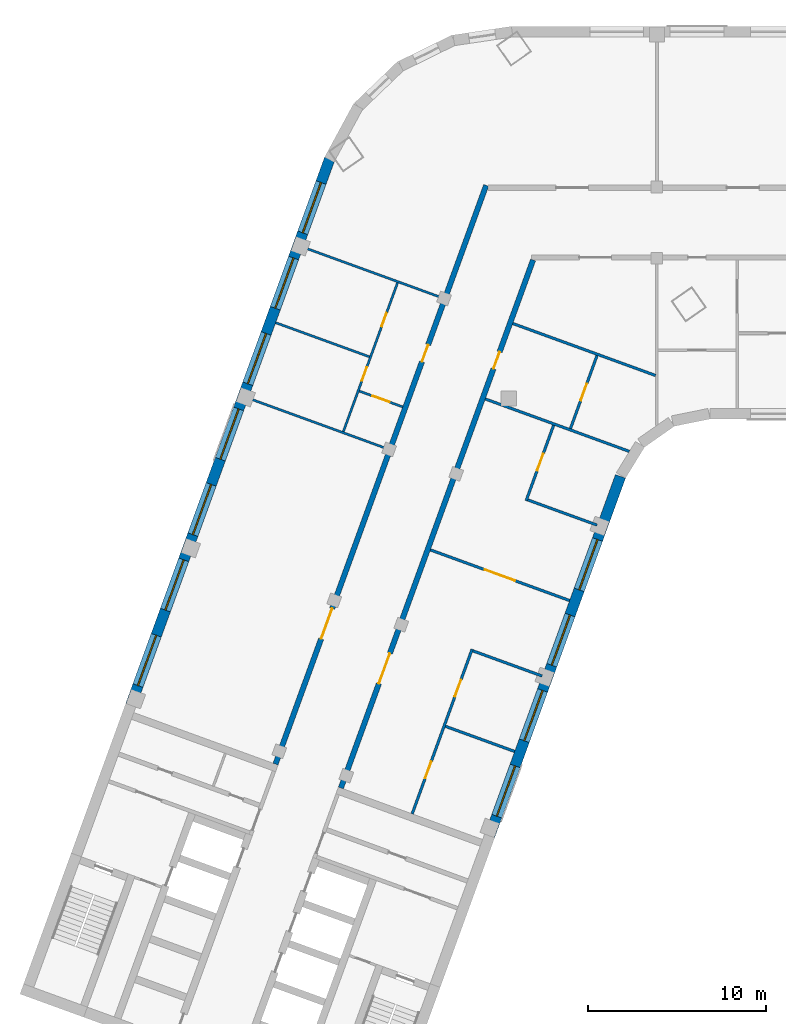
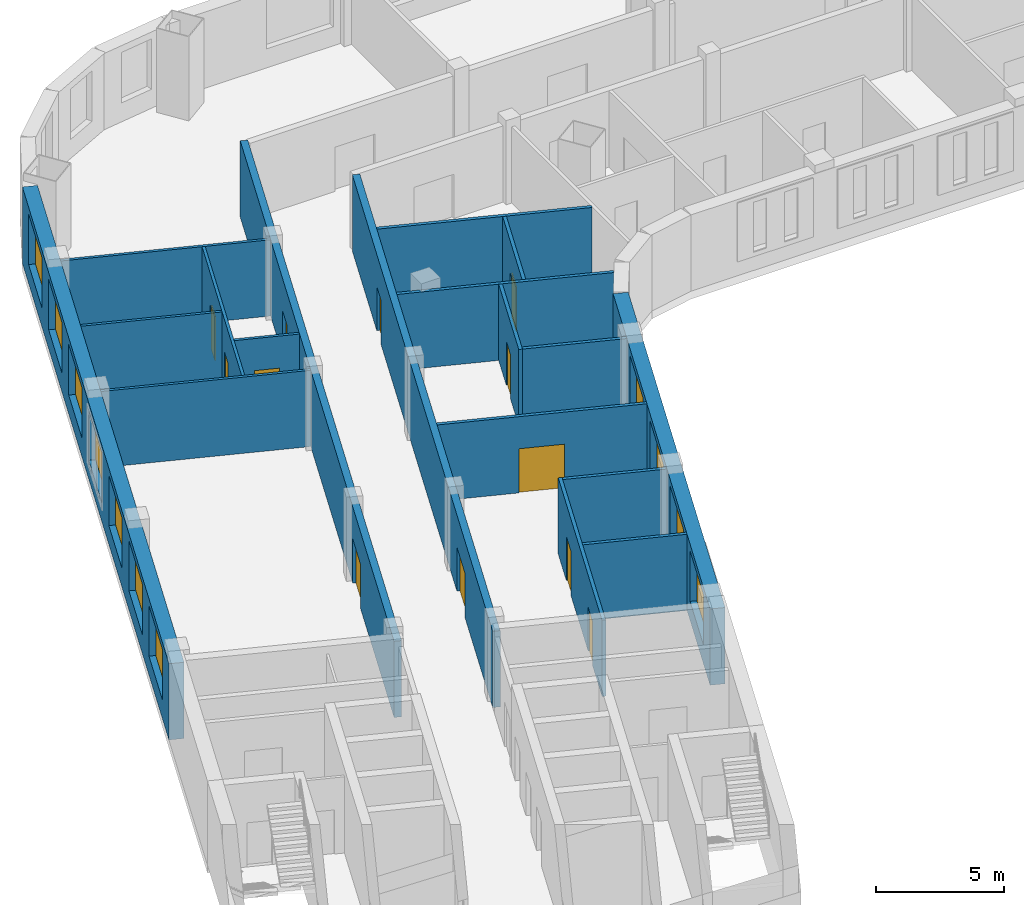
# One storey, part 3 of 12: 18 walls, 12 doors, 11 windows, 23 openings.
"""IFC4 building model written with IfcOpenShell, lengths in metres."""

from ifc_helpers import new_model, si_unit, direction, frame, frame_2d, origin, place, context, subcontext, project, spatial, rectangle, extrude, material, layer, layer_set, type_object, element, fill, save


model = new_model("IFC4")

# Units and contexts
model_context = context("Model", 3, precision=1e-05, world=origin(), true_north=direction((0.0, 1.0)))
body_context = subcontext(model_context, "Body", "Model", "MODEL_VIEW")
ifc_project = project(units=[si_unit("LENGTHUNIT", "METRE"), si_unit("AREAUNIT", "SQUARE_METRE"), si_unit("VOLUMEUNIT", "CUBIC_METRE"), si_unit("PLANEANGLEUNIT", "RADIAN"), si_unit("MASSUNIT", "GRAM", prefix="KILO")], contexts=[model_context])

# Site, building, storey
site_placement = place(None, origin())
site = spatial("IfcSite", under=ifc_project, at=site_placement, CompositionType="ELEMENT")
building_placement = place(site_placement, origin())
building = spatial("IfcBuilding", under=site, at=building_placement, Name="Skarvind Civic Tower", CompositionType="ELEMENT")
storey_placement = place(building_placement, frame((0.0, 0.0, 85.0)))
storey = spatial("IfcBuildingStorey", under=building, at=storey_placement, Name="L19", CompositionType="ELEMENT", Elevation=85.0)

# Wall, openings, doors
ifc_material_1 = material(Name="Fire-rated gypsum board on steel studs", Category="steel")
ifc_layer_1 = layer(ifc_material_1, 0.300048828125)
ifc_layer_set_1 = layer_set([ifc_layer_1], Name="CORRIDOR WALL 300")
wall_type_1 = type_object("IfcWallType", Name="CORRIDOR WALL 300", PredefinedType="PARTITIONING", material=ifc_layer_set_1)
wall_1_placement = place(storey_placement, frame((32.881103515625, 97.656982421875, 0.0), z_axis=(0.0, 0.0, 1.0), x_axis=(0.342017360004, 0.939693633828, 0.0)))
wall_1 = element("IfcWall", 1, at=wall_1_placement, inside=storey, type_object=wall_type_1, Name="Partition 19.002", PredefinedType="PARTITIONING", context=body_context, shape_type="SweptSolid", body=[
    extrude(rectangle(XDim=34.515625, YDim=0.300048828125, at=frame_2d((17.2578125, 0.0))), origin(), (0.0, 0.0, 1.0), 3.625),
])
opening_1_placement = place(wall_1_placement, frame((7.474853515625, 0.0, 0.0)))
opening_1 = element("IfcOpeningElement", 2, at=opening_1_placement, cuts=wall_1, Name="Opening L19-D016", PredefinedType="OPENING", context=body_context, shape_type="SweptSolid", body=[
    extrude(rectangle(XDim=1.800048828125, YDim=2.10009765625, at=frame_2d((0.89990234375, 1.050048828125))), frame((0.0, 0.159912109375, 0.0), z_axis=(0.0, -1.0, 0.0), x_axis=(1.0, 0.0, 0.0)), (0.0, 0.0, 1.0), 0.320068359375),
])
opening_2_placement = place(wall_1_placement, frame((24.00048828125, 0.0, 0.0)))
opening_2 = element("IfcOpeningElement", 3, at=opening_2_placement, cuts=wall_1, Name="Opening L19-D017", PredefinedType="OPENING", context=body_context, shape_type="SweptSolid", body=[
    extrude(rectangle(XDim=1.0, YDim=2.10009765625, at=frame_2d((0.5, 1.050048828125))), frame((0.0, 0.159912109375, 0.0), z_axis=(0.0, -1.0, 0.0), x_axis=(1.0, 0.0, 0.0)), (0.0, 0.0, 1.0), 0.320068359375),
])
ifc_material_2 = material(Name="Fire-rated timber door leaf", Category="wood")
door_type_1 = type_object("IfcDoorType", Name="FD1 1000x2100", OperationType="NOTDEFINED", PredefinedType="DOOR", material=ifc_material_2)
door_1_placement = place(opening_2_placement, origin())
door_1 = element("IfcDoor", 4, at=door_1_placement, inside=storey, type_object=door_type_1, Name="Door L19-D017", OperationType="SINGLE_SWING_LEFT", OverallHeight=2.10009765625, OverallWidth=1.0, PredefinedType="DOOR", context=body_context, shape_type="SweptSolid", body=[
    extrude(rectangle(XDim=1.0, YDim=2.10009765625, at=frame_2d((0.5, 1.050048828125))), frame((0.0, 0.02490234375, 0.0), z_axis=(0.0, -1.0, 0.0), x_axis=(1.0, 0.0, 0.0)), (0.0, 0.0, 1.0), 0.050048828125),
])
fill(opening_2, door_1)
door_type_2 = type_object("IfcDoorType", Name="FD4 1800x2100", OperationType="NOTDEFINED", PredefinedType="DOOR", material=ifc_material_2)
door_2_placement = place(opening_1_placement, origin())
door_2 = element("IfcDoor", 5, at=door_2_placement, inside=storey, type_object=door_type_2, Name="Door L19-D016", OperationType="DOUBLE_DOOR_SINGLE_SWING", OverallHeight=2.10009765625, OverallWidth=1.800048828125, PredefinedType="DOOR", context=body_context, shape_type="SweptSolid", body=[
    extrude(rectangle(XDim=1.800048828125, YDim=2.10009765625, at=frame_2d((0.89990234375, 1.050048828125))), frame((0.0, 0.02490234375, 0.0), z_axis=(0.0, -1.0, 0.0), x_axis=(1.0, 0.0, 0.0)), (0.0, 0.0, 1.0), 0.050048828125),
])
fill(opening_1, door_2)

wall_2_placement = place(storey_placement, frame((47.31396484375, 125.908935546875, 0.0), z_axis=(0.0, 0.0, 1.0), x_axis=(-0.342010770371, -0.939696032209, 0.0)))
wall_2 = element("IfcWall", 6, at=wall_2_placement, inside=storey, type_object=wall_type_1, Name="Partition 19.016", PredefinedType="PARTITIONING", context=body_context, shape_type="SweptSolid", body=[
    extrude(rectangle(XDim=31.484619140625, YDim=0.300048828125, at=frame_2d((15.7421875, 0.0))), origin(), (0.0, 0.0, 1.0), 3.625),
])
opening_3_placement = place(wall_2_placement, frame((23.459228515625, 0.0, 0.0)))
opening_3 = element("IfcOpeningElement", 7, at=opening_3_placement, cuts=wall_2, Name="Opening L19-D023", PredefinedType="OPENING", context=body_context, shape_type="SweptSolid", body=[
    extrude(rectangle(XDim=1.800048828125, YDim=2.10009765625, at=frame_2d((0.89990234375, 1.050048828125))), frame((0.0, 0.159912109375, 0.0), z_axis=(0.0, -1.0, 0.0), x_axis=(1.0, 0.0, 0.0)), (0.0, 0.0, 1.0), 0.320068359375),
])
opening_4_placement = place(wall_2_placement, frame((5.484130859375, 0.0, 0.0)))
opening_4 = element("IfcOpeningElement", 8, at=opening_4_placement, cuts=wall_2, Name="Opening L19-D024", PredefinedType="OPENING", context=body_context, shape_type="SweptSolid", body=[
    extrude(rectangle(XDim=1.0, YDim=2.10009765625, at=frame_2d((0.5, 1.050048828125))), frame((0.0, 0.159912109375, 0.0), z_axis=(0.0, -1.0, 0.0), x_axis=(1.0, 0.0, 0.0)), (0.0, 0.0, 1.0), 0.320068359375),
])
door_3_placement = place(opening_4_placement, origin())
door_3 = element("IfcDoor", 9, at=door_3_placement, inside=storey, type_object=door_type_1, Name="Door L19-D024", OperationType="SINGLE_SWING_LEFT", OverallHeight=2.10009765625, OverallWidth=1.0, PredefinedType="DOOR", context=body_context, shape_type="SweptSolid", body=[
    extrude(rectangle(XDim=1.0, YDim=2.10009765625, at=frame_2d((0.5, 1.050048828125))), frame((0.0, 0.02490234375, 0.0), z_axis=(0.0, -1.0, 0.0), x_axis=(1.0, 0.0, 0.0)), (0.0, 0.0, 1.0), 0.050048828125),
])
fill(opening_4, door_3)
door_4_placement = place(opening_3_placement, origin())
door_4 = element("IfcDoor", 10, at=door_4_placement, inside=storey, type_object=door_type_2, Name="Door L19-D023", OperationType="DOUBLE_DOOR_SINGLE_SWING", OverallHeight=2.10009765625, OverallWidth=1.800048828125, PredefinedType="DOOR", context=body_context, shape_type="SweptSolid", body=[
    extrude(rectangle(XDim=1.800048828125, YDim=2.10009765625, at=frame_2d((0.89990234375, 1.050048828125))), frame((0.0, 0.02490234375, 0.0), z_axis=(0.0, -1.0, 0.0), x_axis=(1.0, 0.0, 0.0)), (0.0, 0.0, 1.0), 0.050048828125),
])
fill(opening_3, door_4)

ifc_material_3 = material(Name="Plasterboard partition on steel studs", Category="steel")
ifc_layer_2 = layer(ifc_material_3, 0.14990234375)
ifc_layer_set_2 = layer_set([ifc_layer_2], Name="PARTITION 150")
wall_type_2 = type_object("IfcWallType", Name="PARTITION 150", PredefinedType="PARTITIONING", material=ifc_layer_set_2)
wall_3_placement = place(storey_placement, frame((40.5390625, 94.8701171875, 0.0), z_axis=(0.0, 0.0, 1.0), x_axis=(0.342082231415, 0.939670020247, 0.0)))
wall_3 = element("IfcWall", 11, at=wall_3_placement, inside=storey, type_object=wall_type_2, Name="Partition 19.009", PredefinedType="PARTITIONING", context=body_context, shape_type="SweptSolid", body=[
    extrude(rectangle(XDim=9.82470703125, YDim=0.14990234375, at=frame_2d((4.912353515625, 0.0))), origin(), (0.0, 0.0, 1.0), 3.625),
])
opening_5_placement = place(wall_3_placement, frame((2.125, 0.0, 0.0)))
opening_5 = element("IfcOpeningElement", 12, at=opening_5_placement, cuts=wall_3, Name="Opening L19-D021", PredefinedType="OPENING", context=body_context, shape_type="SweptSolid", body=[
    extrude(rectangle(XDim=1.0, YDim=2.10009765625, at=frame_2d((0.5, 1.050048828125))), frame((0.0, 0.0849609375, 0.0), z_axis=(0.0, -1.0, 0.0), x_axis=(1.0, 0.0, 0.0)), (0.0, 0.0, 1.0), 0.169921875),
])
opening_6_placement = place(wall_3_placement, frame((7.0, 0.0, 0.0)))
opening_6 = element("IfcOpeningElement", 13, at=opening_6_placement, cuts=wall_3, Name="Opening L19-D022", PredefinedType="OPENING", context=body_context, shape_type="SweptSolid", body=[
    extrude(rectangle(XDim=1.0, YDim=2.10009765625, at=frame_2d((0.5, 1.050048828125))), frame((0.0, 0.0849609375, 0.0), z_axis=(0.0, -1.0, 0.0), x_axis=(1.0, 0.0, 0.0)), (0.0, 0.0, 1.0), 0.169921875),
])
ifc_material_4 = material(Name="Timber door leaf", Category="wood")
door_type_3 = type_object("IfcDoorType", Name="D1 1000x2100", OperationType="NOTDEFINED", PredefinedType="DOOR", material=ifc_material_4)
door_5_placement = place(opening_5_placement, origin())
door_5 = element("IfcDoor", 14, at=door_5_placement, inside=storey, type_object=door_type_3, Name="Door L19-D021", OperationType="SINGLE_SWING_LEFT", OverallHeight=2.10009765625, OverallWidth=1.0, PredefinedType="DOOR", context=body_context, shape_type="SweptSolid", body=[
    extrude(rectangle(XDim=1.0, YDim=2.10009765625, at=frame_2d((0.5, 1.050048828125))), frame((0.0, 0.02490234375, 0.0), z_axis=(0.0, -1.0, 0.0), x_axis=(1.0, 0.0, 0.0)), (0.0, 0.0, 1.0), 0.050048828125),
])
fill(opening_5, door_5)
door_6_placement = place(opening_6_placement, origin())
door_6 = element("IfcDoor", 15, at=door_6_placement, inside=storey, type_object=door_type_3, Name="Door L19-D022", OperationType="SINGLE_SWING_LEFT", OverallHeight=2.10009765625, OverallWidth=1.0, PredefinedType="DOOR", context=body_context, shape_type="SweptSolid", body=[
    extrude(rectangle(XDim=1.0, YDim=2.10009765625, at=frame_2d((0.5, 1.050048828125))), frame((0.0, 0.02490234375, 0.0), z_axis=(0.0, -1.0, 0.0), x_axis=(1.0, 0.0, 0.0)), (0.0, 0.0, 1.0), 0.050048828125),
])
fill(opening_6, door_6)

# Wall, opening, door
wall_4_placement = place(storey_placement, frame((41.56103515625, 109.6630859375, 0.0), z_axis=(0.0, 0.0, 1.0), x_axis=(0.939673986983, -0.342071334939, 0.0)))
wall_4 = element("IfcWall", 16, at=wall_4_placement, inside=storey, type_object=wall_type_2, Name="Partition 19.010", PredefinedType="PARTITIONING", context=body_context, shape_type="SweptSolid", body=[
    extrude(rectangle(XDim=8.2998046875, YDim=0.14990234375, at=frame_2d((4.14990234375, 0.0))), origin(), (0.0, 0.0, 1.0), 3.625),
])
opening_7_placement = place(wall_4_placement, frame((3.23974609375, 0.0, 0.0)))
opening_7 = element("IfcOpeningElement", 17, at=opening_7_placement, cuts=wall_4, Name="Opening L19-D029", PredefinedType="OPENING", context=body_context, shape_type="SweptSolid", body=[
    extrude(rectangle(XDim=1.800048828125, YDim=2.10009765625, at=frame_2d((0.89990234375, 1.050048828125))), frame((0.0, 0.0849609375, 0.0), z_axis=(0.0, -1.0, 0.0), x_axis=(1.0, 0.0, 0.0)), (0.0, 0.0, 1.0), 0.169921875),
])
door_type_4 = type_object("IfcDoorType", Name="D4 1800x2100", OperationType="NOTDEFINED", PredefinedType="DOOR", material=ifc_material_4)
door_7_placement = place(opening_7_placement, origin())
door_7 = element("IfcDoor", 18, at=door_7_placement, inside=storey, type_object=door_type_4, Name="Door L19-D029", OperationType="DOUBLE_DOOR_SINGLE_SWING", OverallHeight=2.10009765625, OverallWidth=1.800048828125, PredefinedType="DOOR", context=body_context, shape_type="SweptSolid", body=[
    extrude(rectangle(XDim=1.800048828125, YDim=2.10009765625, at=frame_2d((0.89990234375, 1.050048828125))), frame((0.0, 0.02490234375, 0.0), z_axis=(0.0, -1.0, 0.0), x_axis=(1.0, 0.0, 0.0)), (0.0, 0.0, 1.0), 0.050048828125),
])
fill(opening_7, door_7)

# Walls
wall_5_placement = place(storey_placement, frame((42.405029296875, 99.777099609375, 0.0), z_axis=(0.0, 0.0, 1.0), x_axis=(0.939765774653, -0.341819087808, 0.0)))
element("IfcWall", 19, at=wall_5_placement, inside=storey, type_object=wall_type_2, Name="Partition 19.011", PredefinedType="PARTITIONING", context=body_context, shape_type="SweptSolid", body=[
    extrude(rectangle(XDim=4.12548828125, YDim=0.14990234375, at=frame_2d((2.062744140625, 0.0))), origin(), (0.0, 0.0, 1.0), 3.625),
])
wall_6_placement = place(storey_placement, frame((44.638916015625, 118.1201171875, 0.0), z_axis=(0.0, 0.0, 1.0), x_axis=(0.939669707102, -0.342083091593, 0.0)))
element("IfcWall", 20, at=wall_6_placement, inside=storey, type_object=wall_type_2, Name="Partition 19.012", PredefinedType="PARTITIONING", context=body_context, shape_type="SweptSolid", body=[
    extrude(rectangle(XDim=8.58935546875, YDim=0.14990234375, at=frame_2d((4.294677734375, 0.0))), origin(), (0.0, 0.0, 1.0), 3.625),
])
wall_7_placement = place(storey_placement, frame((46.177978515625, 122.34912109375, 0.0), z_axis=(0.0, 0.0, 1.0), x_axis=(0.939669476286, -0.342083725624, 0.0)))
element("IfcWall", 21, at=wall_7_placement, inside=storey, type_object=wall_type_2, Name="Partition 19.014", PredefinedType="PARTITIONING", context=body_context, shape_type="SweptSolid", body=[
    extrude(rectangle(XDim=8.515625, YDim=0.14990234375, at=frame_2d((4.2578125, 0.0))), origin(), (0.0, 0.0, 1.0), 3.625),
])
for number, where, z_axis, x_axis, name in (
    (22, (50.89892578125, 111.052001953125, 0.0), (0.0, 0.0, 1.0), (-0.93970873465, 0.341975867603, 0.0), "Partition 19.015"),
    (23, (43.944091796875, 104.006103515625, 0.0), (0.0, 0.0, 1.0), (0.939689717042, -0.34202812119, 0.0), "Partition 19.017"),
):
    element("IfcWall", number, at=place(storey_placement, frame(where, z_axis=z_axis, x_axis=x_axis)), inside=storey, type_object=wall_type_2, Name=name, PredefinedType="PARTITIONING", context=body_context, shape_type="SweptSolid", body=[
        extrude(rectangle(XDim=4.125732421875, YDim=0.14990234375, at=frame_2d((2.06298828125, 0.0))), origin(), (0.0, 0.0, 1.0), 3.625),
    ])

# Wall, opening, door
wall_8_placement = place(storey_placement, frame((46.926025390625, 112.4189453125, 0.0), z_axis=(0.0, 0.0, 1.0), x_axis=(0.342056723843, 0.93967930576, 0.0)))
wall_8 = element("IfcWall", 24, at=wall_8_placement, inside=storey, type_object=wall_type_2, Name="Partition 19.018", PredefinedType="PARTITIONING", context=body_context, shape_type="SweptSolid", body=[
    extrude(rectangle(XDim=4.49951171875, YDim=0.14990234375, at=frame_2d((2.249755859375, 0.0))), origin(), (0.0, 0.0, 1.0), 3.625),
])
opening_8_placement = place(wall_8_placement, frame((1.796875, 0.0, 0.0)))
opening_8 = element("IfcOpeningElement", 25, at=opening_8_placement, cuts=wall_8, Name="Opening L19-D025", PredefinedType="OPENING", context=body_context, shape_type="SweptSolid", body=[
    extrude(rectangle(XDim=1.0, YDim=2.10009765625, at=frame_2d((0.5, 1.050048828125))), frame((0.0, 0.0849609375, 0.0), z_axis=(0.0, -1.0, 0.0), x_axis=(1.0, 0.0, 0.0)), (0.0, 0.0, 1.0), 0.169921875),
])
door_8_placement = place(opening_8_placement, origin())
door_8 = element("IfcDoor", 26, at=door_8_placement, inside=storey, type_object=door_type_3, Name="Door L19-D025", OperationType="SINGLE_SWING_RIGHT", OverallHeight=2.10009765625, OverallWidth=1.0, PredefinedType="DOOR", context=body_context, shape_type="SweptSolid", body=[
    extrude(rectangle(XDim=1.0, YDim=2.10009765625, at=frame_2d((0.5, 1.050048828125))), frame((0.0, 0.02490234375, 0.0), z_axis=(0.0, -1.0, 0.0), x_axis=(1.0, 0.0, 0.0)), (0.0, 0.0, 1.0), 0.050048828125),
])
fill(opening_8, door_8)

wall_9_placement = place(storey_placement, frame((49.409912109375, 116.462890625, 0.0), z_axis=(0.0, 0.0, 1.0), x_axis=(0.341837690029, 0.939759008297, 0.0)))
wall_9 = element("IfcWall", 27, at=wall_9_placement, inside=storey, type_object=wall_type_2, Name="Partition 19.019", PredefinedType="PARTITIONING", context=body_context, shape_type="SweptSolid", body=[
    extrude(rectangle(XDim=4.35009765625, YDim=0.14990234375, at=frame_2d((2.175048828125, 0.0))), origin(), (0.0, 0.0, 1.0), 3.625),
])
opening_9_placement = place(wall_9_placement, frame((1.675048828125, 0.0, 0.0)))
opening_9 = element("IfcOpeningElement", 28, at=opening_9_placement, cuts=wall_9, Name="Opening L19-D026", PredefinedType="OPENING", context=body_context, shape_type="SweptSolid", body=[
    extrude(rectangle(XDim=1.0, YDim=2.10009765625, at=frame_2d((0.5, 1.050048828125))), frame((0.0, 0.0849609375, 0.0), z_axis=(0.0, -1.0, 0.0), x_axis=(1.0, 0.0, 0.0)), (0.0, 0.0, 1.0), 0.169921875),
])
door_9_placement = place(opening_9_placement, origin())
door_9 = element("IfcDoor", 29, at=door_9_placement, inside=storey, type_object=door_type_3, Name="Door L19-D026", OperationType="SINGLE_SWING_LEFT", OverallHeight=2.10009765625, OverallWidth=1.0, PredefinedType="DOOR", context=body_context, shape_type="SweptSolid", body=[
    extrude(rectangle(XDim=1.0, YDim=2.10009765625, at=frame_2d((0.5, 1.050048828125))), frame((0.0, 0.02490234375, 0.0), z_axis=(0.0, -1.0, 0.0), x_axis=(1.0, 0.0, 0.0)), (0.0, 0.0, 1.0), 0.050048828125),
])
fill(opening_9, door_9)

# Walls
ifc_material_5 = material(Name="Moisture-resistant gypsum board on steel studs", Category="steel")
ifc_layer_3 = layer(ifc_material_5, 0.125)
ifc_layer_set_3 = layer_set([ifc_layer_3], Name="WC PARTITION 125")
wall_type_3 = type_object("IfcWallType", Name="WC PARTITION 125", PredefinedType="PARTITIONING", material=ifc_layer_set_3)
wall_10_placement = place(storey_placement, frame((31.35302734375, 118.166015625, 0.0), z_axis=(0.0, 0.0, 1.0), x_axis=(0.939687752599, -0.342033518263, 0.0)))
element("IfcWall", 30, at=wall_10_placement, inside=storey, type_object=wall_type_3, Name="Partition 19.001", PredefinedType="PARTITIONING", context=body_context, shape_type="SweptSolid", body=[
    extrude(rectangle(XDim=8.30078125, YDim=0.125, at=frame_2d((4.150390625, 0.0))), origin(), (0.0, 0.0, 1.0), 3.625),
])
wall_11_placement = place(storey_placement, frame((32.89208984375, 122.39501953125, 0.0), z_axis=(0.0, 0.0, 1.0), x_axis=(0.939696437289, -0.342009657388, 0.0)))
element("IfcWall", 31, at=wall_11_placement, inside=storey, type_object=wall_type_3, Name="Partition 19.003", PredefinedType="PARTITIONING", context=body_context, shape_type="SweptSolid", body=[
    extrude(rectangle(XDim=5.587890625, YDim=0.125, at=frame_2d((2.7939453125, 0.0))), origin(), (0.0, 0.0, 1.0), 3.625),
])
wall_12_placement = place(storey_placement, frame((34.430908203125, 126.6240234375, 0.0), z_axis=(0.0, 0.0, 1.0), x_axis=(0.939687752599, -0.342033518263, 0.0)))
element("IfcWall", 32, at=wall_12_placement, inside=storey, type_object=wall_type_3, Name="Partition 19.004", PredefinedType="PARTITIONING", context=body_context, shape_type="SweptSolid", body=[
    extrude(rectangle(XDim=8.30078125, YDim=0.125, at=frame_2d((4.150390625, 0.0))), origin(), (0.0, 0.0, 1.0), 3.625),
])

# Wall, openings, doors
wall_13_placement = place(storey_placement, frame((36.68408203125, 116.29296875, 0.0), z_axis=(0.0, 0.0, 1.0), x_axis=(0.342089829483, 0.939667254173, 0.0)))
wall_13 = element("IfcWall", 33, at=wall_13_placement, inside=storey, type_object=wall_type_3, Name="Partition 19.006", PredefinedType="PARTITIONING", context=body_context, shape_type="SweptSolid", body=[
    extrude(rectangle(XDim=8.87451171875, YDim=0.125, at=frame_2d((4.437255859375, 0.0))), origin(), (0.0, 0.0, 1.0), 3.625),
])
opening_10_placement = place(wall_13_placement, frame((6.26611328125, 0.0, 0.0)))
opening_10 = element("IfcOpeningElement", 34, at=opening_10_placement, cuts=wall_13, Name="Opening L19-D019", PredefinedType="OPENING", context=body_context, shape_type="SweptSolid", body=[
    extrude(rectangle(XDim=0.800048828125, YDim=2.10009765625, at=frame_2d((0.39990234375, 1.050048828125))), frame((0.0, 0.072509765625, 0.0), z_axis=(0.0, -1.0, 0.0), x_axis=(1.0, 0.0, 0.0)), (0.0, 0.0, 1.0), 0.14501953125),
])
opening_11_placement = place(wall_13_placement, frame((3.035888671875, 0.0, 0.0)))
opening_11 = element("IfcOpeningElement", 35, at=opening_11_placement, cuts=wall_13, Name="Opening L19-D020", PredefinedType="OPENING", context=body_context, shape_type="SweptSolid", body=[
    extrude(rectangle(XDim=0.800048828125, YDim=2.10009765625, at=frame_2d((0.39990234375, 1.050048828125))), frame((0.0, 0.072509765625, 0.0), z_axis=(0.0, -1.0, 0.0), x_axis=(1.0, 0.0, 0.0)), (0.0, 0.0, 1.0), 0.14501953125),
])
door_type_5 = type_object("IfcDoorType", Name="DOOR 800X2100 TIMBER", OperationType="NOTDEFINED", PredefinedType="DOOR", material=ifc_material_4)
door_10_placement = place(opening_10_placement, origin())
door_10 = element("IfcDoor", 36, at=door_10_placement, inside=storey, type_object=door_type_5, Name="Door L19-D019", OperationType="SINGLE_SWING_RIGHT", OverallHeight=2.10009765625, OverallWidth=0.800048828125, PredefinedType="DOOR", context=body_context, shape_type="SweptSolid", body=[
    extrude(rectangle(XDim=0.800048828125, YDim=2.10009765625, at=frame_2d((0.39990234375, 1.050048828125))), frame((0.0, 0.02490234375, 0.0), z_axis=(0.0, -1.0, 0.0), x_axis=(1.0, 0.0, 0.0)), (0.0, 0.0, 1.0), 0.050048828125),
])
fill(opening_10, door_10)
door_11_placement = place(opening_11_placement, origin())
door_11 = element("IfcDoor", 37, at=door_11_placement, inside=storey, type_object=door_type_5, Name="Door L19-D020", OperationType="SINGLE_SWING_LEFT", OverallHeight=2.10009765625, OverallWidth=0.800048828125, PredefinedType="DOOR", context=body_context, shape_type="SweptSolid", body=[
    extrude(rectangle(XDim=0.800048828125, YDim=2.10009765625, at=frame_2d((0.39990234375, 1.050048828125))), frame((0.0, 0.02490234375, 0.0), z_axis=(0.0, -1.0, 0.0), x_axis=(1.0, 0.0, 0.0)), (0.0, 0.0, 1.0), 0.050048828125),
])
fill(opening_11, door_11)

# Wall, opening, door
wall_14_placement = place(storey_placement, frame((40.008056640625, 117.677001953125, 0.0), z_axis=(0.0, 0.0, 1.0), x_axis=(-0.939674895655, 0.342068838798, 0.0)))
wall_14 = element("IfcWall", 38, at=wall_14_placement, inside=storey, type_object=wall_type_3, Name="Partition 19.007", PredefinedType="PARTITIONING", context=body_context, shape_type="SweptSolid", body=[
    extrude(rectangle(XDim=2.587158203125, YDim=0.125, at=frame_2d((1.29345703125, 0.0))), origin(), (0.0, 0.0, 1.0), 3.625),
])
opening_12_placement = place(wall_14_placement, frame((0.79345703125, 0.0, 0.0)))
opening_12 = element("IfcOpeningElement", 39, at=opening_12_placement, cuts=wall_14, Name="Opening L19-D018", PredefinedType="OPENING", context=body_context, shape_type="SweptSolid", body=[
    extrude(rectangle(XDim=1.0, YDim=2.10009765625, at=frame_2d((0.5, 1.050048828125))), frame((0.0, 0.072509765625, 0.0), z_axis=(0.0, -1.0, 0.0), x_axis=(1.0, 0.0, 0.0)), (0.0, 0.0, 1.0), 0.14501953125),
])
door_12_placement = place(opening_12_placement, origin())
door_12 = element("IfcDoor", 40, at=door_12_placement, inside=storey, type_object=door_type_3, Name="Door L19-D018", OperationType="SINGLE_SWING_LEFT", OverallHeight=2.10009765625, OverallWidth=1.0, PredefinedType="DOOR", context=body_context, shape_type="SweptSolid", body=[
    extrude(rectangle(XDim=1.0, YDim=2.10009765625, at=frame_2d((0.5, 1.050048828125))), frame((0.0, 0.02490234375, 0.0), z_axis=(0.0, -1.0, 0.0), x_axis=(1.0, 0.0, 0.0)), (0.0, 0.0, 1.0), 0.050048828125),
])
fill(opening_12, door_12)

# Wall, openings, windows
ifc_material_6 = material(Name="Limestone masonry cladding on insulated backing", Category="masonry")
ifc_layer_4 = layer(ifc_material_6, 0.60009765625)
ifc_layer_set_4 = layer_set([ifc_layer_4], Name="WX1 STONE FACADE WALL 600")
wall_type_4 = type_object("IfcWallType", Name="WX1 STONE FACADE WALL 600", PredefinedType="SOLIDWALL", material=ifc_layer_set_4)
wall_15_placement = place(storey_placement, frame((52.212158203125, 113.78271484375, 0.0), z_axis=(0.0, 0.0, 1.0), x_axis=(-0.34202521188, -0.939690775968, 0.0)))
wall_15 = element("IfcWall", 41, at=wall_15_placement, inside=storey, type_object=wall_type_4, Name="STONE FACADE WALL", PredefinedType="SOLIDWALL", context=body_context, shape_type="SweptSolid", body=[
    extrude(rectangle(XDim=21.744873046875, YDim=0.60009765625, at=frame_2d((10.87255859375, 0.0))), origin(), (0.0, 0.0, 1.0), 3.625),
])
opening_13_placement = place(wall_15_placement, frame((3.764892578125, 0.0, 0.89990234375)))
opening_13 = element("IfcOpeningElement", 42, at=opening_13_placement, cuts=wall_15, Name="Opening WN1", PredefinedType="OPENING", context=body_context, shape_type="SweptSolid", body=[
    extrude(rectangle(XDim=3.0, YDim=2.39990234375, at=frame_2d((1.5, 1.199951171875))), frame((0.0, 0.31005859375, 0.0), z_axis=(0.0, -1.0, 0.0), x_axis=(1.0, 0.0, 0.0)), (0.0, 0.0, 1.0), 0.6201171875),
])
opening_14_placement = place(wall_15_placement, frame((8.264892578125, 0.0, 0.89990234375)))
opening_14 = element("IfcOpeningElement", 43, at=opening_14_placement, cuts=wall_15, Name="Opening WN1", PredefinedType="OPENING", context=body_context, shape_type="SweptSolid", body=[
    extrude(rectangle(XDim=3.0, YDim=2.39990234375, at=frame_2d((1.5, 1.199951171875))), frame((0.0, 0.31005859375, 0.0), z_axis=(0.0, -1.0, 0.0), x_axis=(1.0, 0.0, 0.0)), (0.0, 0.0, 1.0), 0.6201171875),
])
opening_15_placement = place(wall_15_placement, frame((12.764892578125, 0.0, 0.89990234375)))
opening_15 = element("IfcOpeningElement", 44, at=opening_15_placement, cuts=wall_15, Name="Opening WN1", PredefinedType="OPENING", context=body_context, shape_type="SweptSolid", body=[
    extrude(rectangle(XDim=3.0, YDim=2.39990234375, at=frame_2d((1.5, 1.199951171875))), frame((0.0, 0.31005859375, 0.0), z_axis=(0.0, -1.0, 0.0), x_axis=(1.0, 0.0, 0.0)), (0.0, 0.0, 1.0), 0.6201171875),
])
opening_16_placement = place(wall_15_placement, frame((17.264892578125, 0.0, 0.89990234375)))
opening_16 = element("IfcOpeningElement", 45, at=opening_16_placement, cuts=wall_15, Name="Opening WN1", PredefinedType="OPENING", context=body_context, shape_type="SweptSolid", body=[
    extrude(rectangle(XDim=3.0, YDim=2.39990234375, at=frame_2d((1.5, 1.199951171875))), frame((0.0, 0.31005859375, 0.0), z_axis=(0.0, -1.0, 0.0), x_axis=(1.0, 0.0, 0.0)), (0.0, 0.0, 1.0), 0.6201171875),
])
ifc_material_7 = material(Name="Timber frame, double glazing, timber-lined reveal", Category="wood")
window_type = type_object("IfcWindowType", Name="WN1 PUNCHED STONE WINDOW 3000 x 2400", PartitioningType="SINGLE_PANEL", PredefinedType="WINDOW", material=ifc_material_7)
window_1_placement = place(opening_13_placement, origin())
window_1 = element("IfcWindow", 46, at=window_1_placement, inside=storey, type_object=window_type, Name="WN1 WINDOW", OverallHeight=2.39990234375, OverallWidth=3.0, PartitioningType="SINGLE_PANEL", PredefinedType="WINDOW", context=body_context, shape_type="SweptSolid", body=[
    extrude(rectangle(XDim=3.0, YDim=2.39990234375, at=frame_2d((1.5, 1.199951171875))), frame((0.0, 0.030029296875, 0.0), z_axis=(0.0, -1.0, 0.0), x_axis=(1.0, 0.0, 0.0)), (0.0, 0.0, 1.0), 0.06005859375),
])
fill(opening_13, window_1)
window_2_placement = place(opening_14_placement, origin())
window_2 = element("IfcWindow", 47, at=window_2_placement, inside=storey, type_object=window_type, Name="WN1 WINDOW", OverallHeight=2.39990234375, OverallWidth=3.0, PartitioningType="SINGLE_PANEL", PredefinedType="WINDOW", context=body_context, shape_type="SweptSolid", body=[
    extrude(rectangle(XDim=3.0, YDim=2.39990234375, at=frame_2d((1.5, 1.199951171875))), frame((0.0, 0.030029296875, 0.0), z_axis=(0.0, -1.0, 0.0), x_axis=(1.0, 0.0, 0.0)), (0.0, 0.0, 1.0), 0.06005859375),
])
fill(opening_14, window_2)
window_3_placement = place(opening_15_placement, origin())
window_3 = element("IfcWindow", 48, at=window_3_placement, inside=storey, type_object=window_type, Name="WN1 WINDOW", OverallHeight=2.39990234375, OverallWidth=3.0, PartitioningType="SINGLE_PANEL", PredefinedType="WINDOW", context=body_context, shape_type="SweptSolid", body=[
    extrude(rectangle(XDim=3.0, YDim=2.39990234375, at=frame_2d((1.5, 1.199951171875))), frame((0.0, 0.030029296875, 0.0), z_axis=(0.0, -1.0, 0.0), x_axis=(1.0, 0.0, 0.0)), (0.0, 0.0, 1.0), 0.06005859375),
])
fill(opening_15, window_3)
window_4_placement = place(opening_16_placement, origin())
window_4 = element("IfcWindow", 49, at=window_4_placement, inside=storey, type_object=window_type, Name="WN1 WINDOW", OverallHeight=2.39990234375, OverallWidth=3.0, PartitioningType="SINGLE_PANEL", PredefinedType="WINDOW", context=body_context, shape_type="SweptSolid", body=[
    extrude(rectangle(XDim=3.0, YDim=2.39990234375, at=frame_2d((1.5, 1.199951171875))), frame((0.0, 0.030029296875, 0.0), z_axis=(0.0, -1.0, 0.0), x_axis=(1.0, 0.0, 0.0)), (0.0, 0.0, 1.0), 0.06005859375),
])
fill(opening_16, window_4)

wall_16_placement = place(storey_placement, frame((24.66552734375, 100.668701171875, 0.0), z_axis=(0.0, 0.0, 1.0), x_axis=(0.34201964167, 0.939692803373, 0.0)))
wall_16 = element("IfcWall", 50, at=wall_16_placement, inside=storey, type_object=wall_type_4, Name="STONE FACADE WALL", PredefinedType="SOLIDWALL", context=body_context, shape_type="SweptSolid", body=[
    extrude(rectangle(XDim=32.88427734375, YDim=0.60009765625, at=frame_2d((16.442138671875, 0.0))), origin(), (0.0, 0.0, 1.0), 3.625),
])
opening_17_placement = place(wall_16_placement, frame((1.47998046875, 0.0, 0.89990234375)))
opening_17 = element("IfcOpeningElement", 51, at=opening_17_placement, cuts=wall_16, Name="Opening WN1", PredefinedType="OPENING", context=body_context, shape_type="SweptSolid", body=[
    extrude(rectangle(XDim=3.0, YDim=2.39990234375, at=frame_2d((1.5, 1.199951171875))), frame((0.0, 0.31005859375, 0.0), z_axis=(0.0, -1.0, 0.0), x_axis=(1.0, 0.0, 0.0)), (0.0, 0.0, 1.0), 0.6201171875),
])
opening_18_placement = place(wall_16_placement, frame((5.97998046875, 0.0, 0.89990234375)))
opening_18 = element("IfcOpeningElement", 52, at=opening_18_placement, cuts=wall_16, Name="Opening WN1", PredefinedType="OPENING", context=body_context, shape_type="SweptSolid", body=[
    extrude(rectangle(XDim=3.0, YDim=2.39990234375, at=frame_2d((1.5, 1.199951171875))), frame((0.0, 0.31005859375, 0.0), z_axis=(0.0, -1.0, 0.0), x_axis=(1.0, 0.0, 0.0)), (0.0, 0.0, 1.0), 0.6201171875),
])
opening_19_placement = place(wall_16_placement, frame((10.47998046875, 0.0, 0.89990234375)))
opening_19 = element("IfcOpeningElement", 53, at=opening_19_placement, cuts=wall_16, Name="Opening WN1", PredefinedType="OPENING", context=body_context, shape_type="SweptSolid", body=[
    extrude(rectangle(XDim=3.0, YDim=2.39990234375, at=frame_2d((1.5, 1.199951171875))), frame((0.0, 0.31005859375, 0.0), z_axis=(0.0, -1.0, 0.0), x_axis=(1.0, 0.0, 0.0)), (0.0, 0.0, 1.0), 0.6201171875),
])
opening_20_placement = place(wall_16_placement, frame((14.97998046875, 0.0, 0.89990234375)))
opening_20 = element("IfcOpeningElement", 54, at=opening_20_placement, cuts=wall_16, Name="Opening WN1", PredefinedType="OPENING", context=body_context, shape_type="SweptSolid", body=[
    extrude(rectangle(XDim=3.0, YDim=2.39990234375, at=frame_2d((1.5, 1.199951171875))), frame((0.0, 0.31005859375, 0.0), z_axis=(0.0, -1.0, 0.0), x_axis=(1.0, 0.0, 0.0)), (0.0, 0.0, 1.0), 0.6201171875),
])
opening_21_placement = place(wall_16_placement, frame((19.47998046875, 0.0, 0.89990234375)))
opening_21 = element("IfcOpeningElement", 55, at=opening_21_placement, cuts=wall_16, Name="Opening WN1", PredefinedType="OPENING", context=body_context, shape_type="SweptSolid", body=[
    extrude(rectangle(XDim=3.0, YDim=2.39990234375, at=frame_2d((1.5, 1.199951171875))), frame((0.0, 0.31005859375, 0.0), z_axis=(0.0, -1.0, 0.0), x_axis=(1.0, 0.0, 0.0)), (0.0, 0.0, 1.0), 0.6201171875),
])
opening_22_placement = place(wall_16_placement, frame((23.97998046875, 0.0, 0.89990234375)))
opening_22 = element("IfcOpeningElement", 56, at=opening_22_placement, cuts=wall_16, Name="Opening WN1", PredefinedType="OPENING", context=body_context, shape_type="SweptSolid", body=[
    extrude(rectangle(XDim=3.0, YDim=2.39990234375, at=frame_2d((1.5, 1.199951171875))), frame((0.0, 0.31005859375, 0.0), z_axis=(0.0, -1.0, 0.0), x_axis=(1.0, 0.0, 0.0)), (0.0, 0.0, 1.0), 0.6201171875),
])
opening_23_placement = place(wall_16_placement, frame((28.47998046875, 0.0, 0.89990234375)))
opening_23 = element("IfcOpeningElement", 57, at=opening_23_placement, cuts=wall_16, Name="Opening WN1", PredefinedType="OPENING", context=body_context, shape_type="SweptSolid", body=[
    extrude(rectangle(XDim=3.0, YDim=2.39990234375, at=frame_2d((1.5, 1.199951171875))), frame((0.0, 0.31005859375, 0.0), z_axis=(0.0, -1.0, 0.0), x_axis=(1.0, 0.0, 0.0)), (0.0, 0.0, 1.0), 0.6201171875),
])
window_5_placement = place(opening_17_placement, origin())
window_5 = element("IfcWindow", 58, at=window_5_placement, inside=storey, type_object=window_type, Name="WN1 WINDOW", OverallHeight=2.39990234375, OverallWidth=3.0, PartitioningType="SINGLE_PANEL", PredefinedType="WINDOW", context=body_context, shape_type="SweptSolid", body=[
    extrude(rectangle(XDim=3.0, YDim=2.39990234375, at=frame_2d((1.5, 1.199951171875))), frame((0.0, 0.030029296875, 0.0), z_axis=(0.0, -1.0, 0.0), x_axis=(1.0, 0.0, 0.0)), (0.0, 0.0, 1.0), 0.06005859375),
])
fill(opening_17, window_5)
window_6_placement = place(opening_18_placement, origin())
window_6 = element("IfcWindow", 59, at=window_6_placement, inside=storey, type_object=window_type, Name="WN1 WINDOW", OverallHeight=2.39990234375, OverallWidth=3.0, PartitioningType="SINGLE_PANEL", PredefinedType="WINDOW", context=body_context, shape_type="SweptSolid", body=[
    extrude(rectangle(XDim=3.0, YDim=2.39990234375, at=frame_2d((1.5, 1.199951171875))), frame((0.0, 0.030029296875, 0.0), z_axis=(0.0, -1.0, 0.0), x_axis=(1.0, 0.0, 0.0)), (0.0, 0.0, 1.0), 0.06005859375),
])
fill(opening_18, window_6)
window_7_placement = place(opening_19_placement, origin())
window_7 = element("IfcWindow", 60, at=window_7_placement, inside=storey, type_object=window_type, Name="WN1 WINDOW", OverallHeight=2.39990234375, OverallWidth=3.0, PartitioningType="SINGLE_PANEL", PredefinedType="WINDOW", context=body_context, shape_type="SweptSolid", body=[
    extrude(rectangle(XDim=3.0, YDim=2.39990234375, at=frame_2d((1.5, 1.199951171875))), frame((0.0, 0.030029296875, 0.0), z_axis=(0.0, -1.0, 0.0), x_axis=(1.0, 0.0, 0.0)), (0.0, 0.0, 1.0), 0.06005859375),
])
fill(opening_19, window_7)
window_8_placement = place(opening_20_placement, origin())
window_8 = element("IfcWindow", 61, at=window_8_placement, inside=storey, type_object=window_type, Name="WN1 WINDOW", OverallHeight=2.39990234375, OverallWidth=3.0, PartitioningType="SINGLE_PANEL", PredefinedType="WINDOW", context=body_context, shape_type="SweptSolid", body=[
    extrude(rectangle(XDim=3.0, YDim=2.39990234375, at=frame_2d((1.5, 1.199951171875))), frame((0.0, 0.030029296875, 0.0), z_axis=(0.0, -1.0, 0.0), x_axis=(1.0, 0.0, 0.0)), (0.0, 0.0, 1.0), 0.06005859375),
])
fill(opening_20, window_8)
window_9_placement = place(opening_21_placement, origin())
window_9 = element("IfcWindow", 62, at=window_9_placement, inside=storey, type_object=window_type, Name="WN1 WINDOW", OverallHeight=2.39990234375, OverallWidth=3.0, PartitioningType="SINGLE_PANEL", PredefinedType="WINDOW", context=body_context, shape_type="SweptSolid", body=[
    extrude(rectangle(XDim=3.0, YDim=2.39990234375, at=frame_2d((1.5, 1.199951171875))), frame((0.0, 0.030029296875, 0.0), z_axis=(0.0, -1.0, 0.0), x_axis=(1.0, 0.0, 0.0)), (0.0, 0.0, 1.0), 0.06005859375),
])
fill(opening_21, window_9)
window_10_placement = place(opening_22_placement, origin())
window_10 = element("IfcWindow", 63, at=window_10_placement, inside=storey, type_object=window_type, Name="WN1 WINDOW", OverallHeight=2.39990234375, OverallWidth=3.0, PartitioningType="SINGLE_PANEL", PredefinedType="WINDOW", context=body_context, shape_type="SweptSolid", body=[
    extrude(rectangle(XDim=3.0, YDim=2.39990234375, at=frame_2d((1.5, 1.199951171875))), frame((0.0, 0.030029296875, 0.0), z_axis=(0.0, -1.0, 0.0), x_axis=(1.0, 0.0, 0.0)), (0.0, 0.0, 1.0), 0.06005859375),
])
fill(opening_22, window_10)
window_11_placement = place(opening_23_placement, origin())
window_11 = element("IfcWindow", 64, at=window_11_placement, inside=storey, type_object=window_type, Name="WN1 WINDOW", OverallHeight=2.39990234375, OverallWidth=3.0, PartitioningType="SINGLE_PANEL", PredefinedType="WINDOW", context=body_context, shape_type="SweptSolid", body=[
    extrude(rectangle(XDim=3.0, YDim=2.39990234375, at=frame_2d((1.5, 1.199951171875))), frame((0.0, 0.030029296875, 0.0), z_axis=(0.0, -1.0, 0.0), x_axis=(1.0, 0.0, 0.0)), (0.0, 0.0, 1.0), 0.06005859375),
])
fill(opening_23, window_11)

save(model, "model.ifc")
